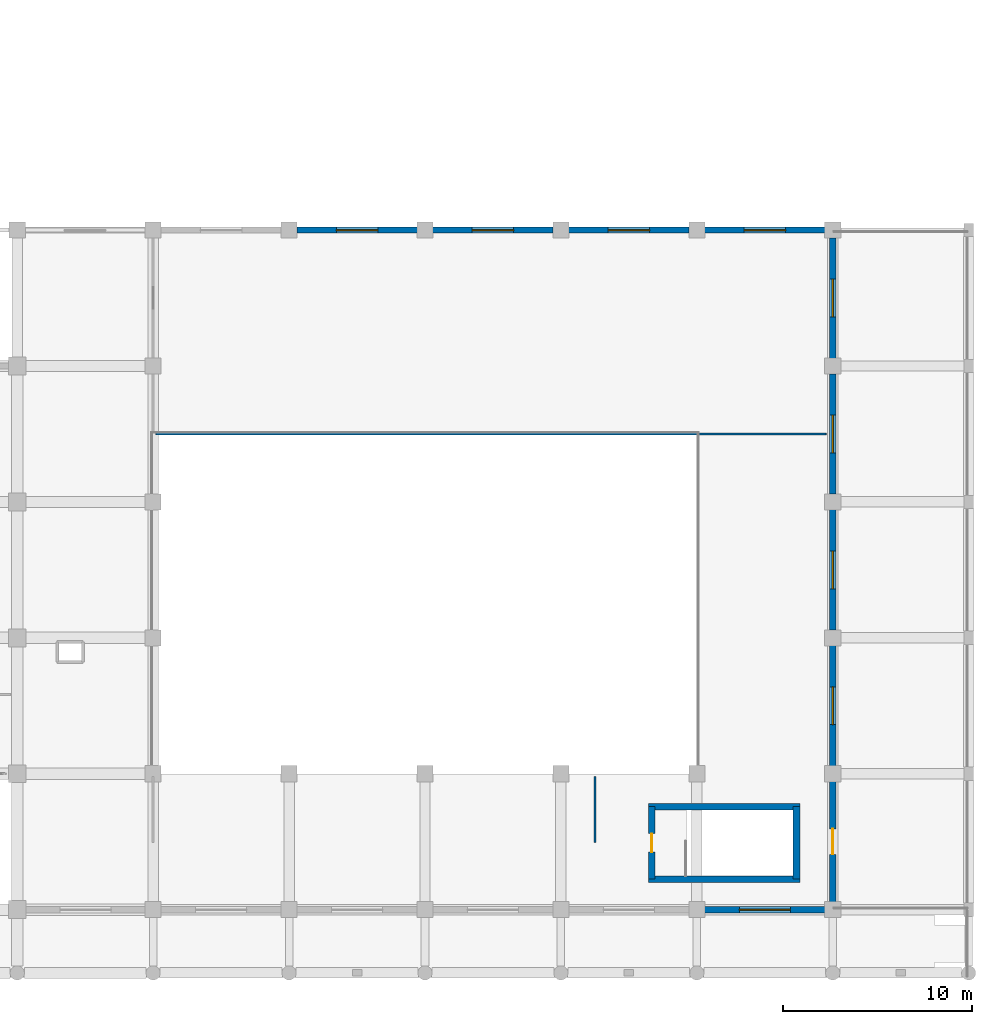
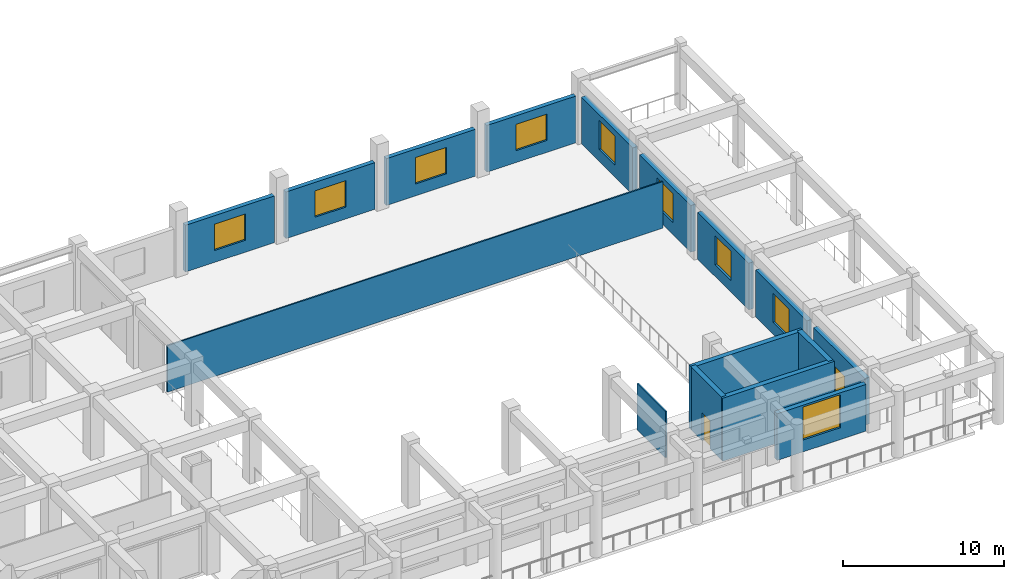
# One storey, part 36 of 54: 16 walls, 9 windows, 2 doors, 11 openings.
"""IFC4 building model written with IfcOpenShell, lengths in metres."""

from ifc_helpers import new_model, si_unit, direction, frame, frame_2d, origin, place, context, subcontext, project, spatial, rectangle, extrude, material, layer, layer_set, type_object, element, fill, save


model = new_model("IFC4")

# Units and contexts
model_context = context("Model", 3, precision=1e-05, world=origin(), true_north=direction((0.0, 1.0)))
body_context = subcontext(model_context, "Body", "Model", "MODEL_VIEW")
ifc_project = project(units=[si_unit("LENGTHUNIT", "METRE"), si_unit("AREAUNIT", "SQUARE_METRE"), si_unit("VOLUMEUNIT", "CUBIC_METRE"), si_unit("PLANEANGLEUNIT", "RADIAN"), si_unit("MASSUNIT", "GRAM", prefix="KILO")], contexts=[model_context])

# Site, building, storey
site_placement = place(None, origin())
site = spatial("IfcSite", under=ifc_project, at=site_placement, CompositionType="ELEMENT")
building_placement = place(site_placement, origin())
building = spatial("IfcBuilding", under=site, at=building_placement, Name="Kazehaya Institute of Natural Sciences", CompositionType="ELEMENT")
storey_placement = place(building_placement, frame((0.0, 0.0, 5.39990234375)))
storey = spatial("IfcBuildingStorey", under=building, at=storey_placement, Name="L01", CompositionType="ELEMENT", Elevation=5.39990234375)

# Walls
ifc_material_1 = material(Name="Concrete Fc42", Category="concrete")
ifc_layer_1 = layer(ifc_material_1, 0.35009765625, Name="Concrete Fc42", Category="concrete")
ifc_layer_set_1 = layer_set([ifc_layer_1], Name="Concrete Fc42")
wall_type_1 = type_object("IfcWallType", Name="WL-CORE-350", PredefinedType="SHEAR", material=ifc_layer_set_1)
for number, where, z_axis, x_axis, name in (
    (1, (160.85498046875, 8.419921875, 0.0), (0.0, 0.0, 1.0), (-1.0, 0.0, 0.0), "L01 ST-5 core wall S"),
    (2, (152.844970703125, 12.260009765625, 0.0), (0.0, 0.0, 1.0), (1.0, 0.0, 0.0), "L01 ST-5 core wall N"),
):
    element("IfcWall", number, at=place(storey_placement, frame(where, z_axis=z_axis, x_axis=x_axis)), inside=storey, type_object=wall_type_1, Name=name, PredefinedType="SHEAR", context=body_context, shape_type="SweptSolid", body=[
        extrude(rectangle(XDim=8.010009765625, YDim=0.35009765625, at=frame_2d((4.0048828125, 0.0))), origin(), (0.0, 0.0, 1.0), 4.77001953125),
    ])

# Wall, opening, door
wall_1_placement = place(storey_placement, frame((153.02001953125, 8.419921875, 0.0), z_axis=(0.0, 0.0, 1.0), x_axis=(0.0, 1.0, 0.0)))
wall_1 = element("IfcWall", 3, at=wall_1_placement, inside=storey, type_object=wall_type_1, Name="L01 ST-5 core wall W", PredefinedType="SHEAR", context=body_context, shape_type="SweptSolid", body=[
    extrude(rectangle(XDim=3.840087890625, YDim=0.35009765625, at=frame_2d((1.919921875, 0.0))), origin(), (0.0, 0.0, 1.0), 4.77001953125),
])
opening_1_placement = place(wall_1_placement, frame((1.429931640625, 0.0, 0.0)))
opening_1 = element("IfcOpeningElement", 4, at=opening_1_placement, cuts=wall_1, Name="Opening D-ST-037", PredefinedType="OPENING", context=body_context, shape_type="SweptSolid", body=[
    extrude(rectangle(XDim=0.97998046875, YDim=2.1201171875, at=frame_2d((0.489990234375, 1.06005859375))), frame((0.0, 0.18505859375, 0.0), z_axis=(0.0, -1.0, 0.0), x_axis=(1.0, 0.0, 0.0)), (0.0, 0.0, 1.0), 0.3701171875),
])
ifc_material_2 = material(Name="Fire-rated steel acoustic door", Category="steel")
door_type_1 = type_object("IfcDoorType", Name="DT-FD-08", OperationType="NOTDEFINED", PredefinedType="DOOR", material=ifc_material_2)
door_1_placement = place(opening_1_placement, origin())
door_1 = element("IfcDoor", 5, at=door_1_placement, inside=storey, type_object=door_type_1, Name="L01 ST-5 stair enclosure door D-ST-037", OperationType="SINGLE_SWING_LEFT", OverallHeight=2.1201171875, OverallWidth=0.97998046875, PredefinedType="DOOR", context=body_context, shape_type="SweptSolid", body=[
    extrude(rectangle(XDim=0.97998046875, YDim=2.1201171875, at=frame_2d((0.489990234375, 1.06005859375))), frame((0.0, 0.02490234375, 0.0), z_axis=(0.0, -1.0, 0.0), x_axis=(1.0, 0.0, 0.0)), (0.0, 0.0, 1.0), 0.050048828125),
])
fill(opening_1, door_1)

# Wall
wall_2_placement = place(storey_placement, frame((160.679931640625, 12.260009765625, 0.0), z_axis=(0.0, 0.0, 1.0), x_axis=(0.0, -1.0, 0.0)))
element("IfcWall", 6, at=wall_2_placement, inside=storey, type_object=wall_type_1, Name="L01 ST-5 core wall E", PredefinedType="SHEAR", context=body_context, shape_type="SweptSolid", body=[
    extrude(rectangle(XDim=3.840087890625, YDim=0.35009765625, at=frame_2d((1.919921875, 0.0))), origin(), (0.0, 0.0, 1.0), 4.77001953125),
])

# Wall, opening, window
ifc_material_3 = material(Name="Precast concrete Fc36", Category="concrete")
ifc_layer_2 = layer(ifc_material_3, 0.31005859375, Name="Precast concrete Fc36", Category="concrete")
ifc_layer_set_2 = layer_set([ifc_layer_2], Name="Precast concrete Fc36")
wall_type_2 = type_object("IfcWallType", Name="WL-EXT-310", PredefinedType="SOLIDWALL", material=ifc_layer_set_2)
wall_3_placement = place(storey_placement, frame((134.2099609375, 42.800048828125, 0.0), z_axis=(0.0, 0.0, 1.0), x_axis=(1.0, 0.0, 0.0)))
wall_3 = element("IfcWall", 7, at=wall_3_placement, inside=storey, type_object=wall_type_2, Name="L01 exterior wall EW-L01-0381", PredefinedType="SOLIDWALL", context=body_context, shape_type="SweptSolid", body=[
    extrude(rectangle(XDim=6.380126953125, YDim=0.31005859375, at=frame_2d((3.18994140625, 0.0))), origin(), (0.0, 0.0, 1.0), 3.5400390625),
])
opening_2_placement = place(wall_3_placement, frame((2.090087890625, 0.0, 0.89990234375)))
opening_2 = element("IfcOpeningElement", 8, at=opening_2_placement, cuts=wall_3, Name="Opening W20", PredefinedType="OPENING", context=body_context, shape_type="SweptSolid", body=[
    extrude(rectangle(XDim=2.199951171875, YDim=2.0, at=frame_2d((1.10009765625, 1.0))), frame((0.0, 0.1650390625, 0.0), z_axis=(0.0, -1.0, 0.0), x_axis=(1.0, 0.0, 0.0)), (0.0, 0.0, 1.0), 0.330078125),
])
ifc_material_4 = material(Name="Low-E double-glazed aluminium window", Category="aluminium")
window_type_1 = type_object("IfcWindowType", Name="WN-20", PartitioningType="DOUBLE_PANEL_VERTICAL", PredefinedType="WINDOW", material=ifc_material_4)
window_1_placement = place(opening_2_placement, origin())
window_1 = element("IfcWindow", 9, at=window_1_placement, inside=storey, type_object=window_type_1, Name="L01 facade window 0240", OverallHeight=2.0, OverallWidth=2.199951171875, PartitioningType="DOUBLE_PANEL_VERTICAL", PredefinedType="WINDOW", context=body_context, shape_type="SweptSolid", body=[
    extrude(rectangle(XDim=2.199951171875, YDim=2.0, at=frame_2d((1.10009765625, 1.0))), frame((0.0, 0.030029296875, 0.0), z_axis=(0.0, -1.0, 0.0), x_axis=(1.0, 0.0, 0.0)), (0.0, 0.0, 1.0), 0.06005859375),
])
fill(opening_2, window_1)

wall_4_placement = place(storey_placement, frame((141.409912109375, 42.800048828125, 0.0), z_axis=(0.0, 0.0, 1.0), x_axis=(1.0, 0.0, 0.0)))
wall_4 = element("IfcWall", 10, at=wall_4_placement, inside=storey, type_object=wall_type_2, Name="L01 exterior wall EW-L01-0382", PredefinedType="SOLIDWALL", context=body_context, shape_type="SweptSolid", body=[
    extrude(rectangle(XDim=6.380126953125, YDim=0.31005859375, at=frame_2d((3.18994140625, 0.0))), origin(), (0.0, 0.0, 1.0), 3.5400390625),
])
opening_3_placement = place(wall_4_placement, frame((2.090087890625, 0.0, 0.89990234375)))
opening_3 = element("IfcOpeningElement", 11, at=opening_3_placement, cuts=wall_4, Name="Opening W20", PredefinedType="OPENING", context=body_context, shape_type="SweptSolid", body=[
    extrude(rectangle(XDim=2.199951171875, YDim=2.0, at=frame_2d((1.10009765625, 1.0))), frame((0.0, 0.1650390625, 0.0), z_axis=(0.0, -1.0, 0.0), x_axis=(1.0, 0.0, 0.0)), (0.0, 0.0, 1.0), 0.330078125),
])
window_2_placement = place(opening_3_placement, origin())
window_2 = element("IfcWindow", 12, at=window_2_placement, inside=storey, type_object=window_type_1, Name="L01 facade window 0241", OverallHeight=2.0, OverallWidth=2.199951171875, PartitioningType="DOUBLE_PANEL_VERTICAL", PredefinedType="WINDOW", context=body_context, shape_type="SweptSolid", body=[
    extrude(rectangle(XDim=2.199951171875, YDim=2.0, at=frame_2d((1.10009765625, 1.0))), frame((0.0, 0.030029296875, 0.0), z_axis=(0.0, -1.0, 0.0), x_axis=(1.0, 0.0, 0.0)), (0.0, 0.0, 1.0), 0.06005859375),
])
fill(opening_3, window_2)

wall_5_placement = place(storey_placement, frame((148.610107421875, 42.800048828125, 0.0), z_axis=(0.0, 0.0, 1.0), x_axis=(1.0, 0.0, 0.0)))
wall_5 = element("IfcWall", 13, at=wall_5_placement, inside=storey, type_object=wall_type_2, Name="L01 exterior wall EW-L01-0383", PredefinedType="SOLIDWALL", context=body_context, shape_type="SweptSolid", body=[
    extrude(rectangle(XDim=6.3798828125, YDim=0.31005859375, at=frame_2d((3.18994140625, 0.0))), origin(), (0.0, 0.0, 1.0), 3.5400390625),
])
opening_4_placement = place(wall_5_placement, frame((2.090087890625, 0.0, 0.89990234375)))
opening_4 = element("IfcOpeningElement", 14, at=opening_4_placement, cuts=wall_5, Name="Opening W20", PredefinedType="OPENING", context=body_context, shape_type="SweptSolid", body=[
    extrude(rectangle(XDim=2.199951171875, YDim=2.0, at=frame_2d((1.10009765625, 1.0))), frame((0.0, 0.1650390625, 0.0), z_axis=(0.0, -1.0, 0.0), x_axis=(1.0, 0.0, 0.0)), (0.0, 0.0, 1.0), 0.330078125),
])
window_3_placement = place(opening_4_placement, origin())
window_3 = element("IfcWindow", 15, at=window_3_placement, inside=storey, type_object=window_type_1, Name="L01 facade window 0242", OverallHeight=2.0, OverallWidth=2.199951171875, PartitioningType="DOUBLE_PANEL_VERTICAL", PredefinedType="WINDOW", context=body_context, shape_type="SweptSolid", body=[
    extrude(rectangle(XDim=2.199951171875, YDim=2.0, at=frame_2d((1.10009765625, 1.0))), frame((0.0, 0.030029296875, 0.0), z_axis=(0.0, -1.0, 0.0), x_axis=(1.0, 0.0, 0.0)), (0.0, 0.0, 1.0), 0.06005859375),
])
fill(opening_4, window_3)

wall_6_placement = place(storey_placement, frame((155.81005859375, 42.800048828125, 0.0), z_axis=(0.0, 0.0, 1.0), x_axis=(1.0, 0.0, 0.0)))
wall_6 = element("IfcWall", 16, at=wall_6_placement, inside=storey, type_object=wall_type_2, Name="L01 exterior wall EW-L01-0384", PredefinedType="SOLIDWALL", context=body_context, shape_type="SweptSolid", body=[
    extrude(rectangle(XDim=6.3798828125, YDim=0.31005859375, at=frame_2d((3.18994140625, 0.0))), origin(), (0.0, 0.0, 1.0), 3.5400390625),
])
opening_5_placement = place(wall_6_placement, frame((2.090087890625, 0.0, 0.89990234375)))
opening_5 = element("IfcOpeningElement", 17, at=opening_5_placement, cuts=wall_6, Name="Opening W20", PredefinedType="OPENING", context=body_context, shape_type="SweptSolid", body=[
    extrude(rectangle(XDim=2.199951171875, YDim=2.0, at=frame_2d((1.10009765625, 1.0))), frame((0.0, 0.1650390625, 0.0), z_axis=(0.0, -1.0, 0.0), x_axis=(1.0, 0.0, 0.0)), (0.0, 0.0, 1.0), 0.330078125),
])
window_4_placement = place(opening_5_placement, origin())
window_4 = element("IfcWindow", 18, at=window_4_placement, inside=storey, type_object=window_type_1, Name="L01 facade window 0243", OverallHeight=2.0, OverallWidth=2.199951171875, PartitioningType="DOUBLE_PANEL_VERTICAL", PredefinedType="WINDOW", context=body_context, shape_type="SweptSolid", body=[
    extrude(rectangle(XDim=2.199951171875, YDim=2.0, at=frame_2d((1.10009765625, 1.0))), frame((0.0, 0.030029296875, 0.0), z_axis=(0.0, -1.0, 0.0), x_axis=(1.0, 0.0, 0.0)), (0.0, 0.0, 1.0), 0.06005859375),
])
fill(opening_5, window_4)

ifc_layer_3 = layer(ifc_material_3, 0.340087890625, Name="Precast concrete Fc36", Category="concrete")
ifc_layer_set_3 = layer_set([ifc_layer_3], Name="Precast concrete Fc36")
wall_type_3 = type_object("IfcWallType", Name="WL-EXT-340", PredefinedType="SOLIDWALL", material=ifc_layer_set_3)
wall_7_placement = place(storey_placement, frame((162.18994140625, 6.800048828125, 0.0), z_axis=(0.0, 0.0, 1.0), x_axis=(-1.0, 0.0, 0.0)))
wall_7 = element("IfcWall", 19, at=wall_7_placement, inside=storey, type_object=wall_type_3, Name="L01 exterior wall EW-L01-0368", PredefinedType="SOLIDWALL", context=body_context, shape_type="SweptSolid", body=[
    extrude(rectangle(XDim=6.3798828125, YDim=0.340087890625, at=frame_2d((3.18994140625, 0.0))), origin(), (0.0, 0.0, 1.0), 3.5400390625),
])
opening_6_placement = place(wall_7_placement, frame((1.840087890625, 0.0, 0.89990234375)))
opening_6 = element("IfcOpeningElement", 20, at=opening_6_placement, cuts=wall_7, Name="Opening W16", PredefinedType="OPENING", context=body_context, shape_type="SweptSolid", body=[
    extrude(rectangle(XDim=2.699951171875, YDim=2.5, at=frame_2d((1.35009765625, 1.25))), frame((0.0, 0.179931640625, 0.0), z_axis=(0.0, -1.0, 0.0), x_axis=(1.0, 0.0, 0.0)), (0.0, 0.0, 1.0), 0.360107421875),
])
window_type_2 = type_object("IfcWindowType", Name="WN-16", PartitioningType="DOUBLE_PANEL_VERTICAL", PredefinedType="WINDOW", material=ifc_material_4)
window_5_placement = place(opening_6_placement, origin())
window_5 = element("IfcWindow", 21, at=window_5_placement, inside=storey, type_object=window_type_2, Name="L01 facade window 0228", OverallHeight=2.5, OverallWidth=2.699951171875, PartitioningType="DOUBLE_PANEL_VERTICAL", PredefinedType="WINDOW", context=body_context, shape_type="SweptSolid", body=[
    extrude(rectangle(XDim=2.699951171875, YDim=2.5, at=frame_2d((1.35009765625, 1.25))), frame((0.0, 0.030029296875, 0.0), z_axis=(0.0, -1.0, 0.0), x_axis=(1.0, 0.0, 0.0)), (0.0, 0.0, 1.0), 0.06005859375),
])
fill(opening_6, window_5)

wall_8_placement = place(storey_placement, frame((162.60009765625, 42.389892578125, 0.0), z_axis=(0.0, 0.0, 1.0), x_axis=(0.0, -1.0, 0.0)))
wall_8 = element("IfcWall", 22, at=wall_8_placement, inside=storey, type_object=wall_type_3, Name="L01 exterior wall EW-L01-0374", PredefinedType="SOLIDWALL", context=body_context, shape_type="SweptSolid", body=[
    extrude(rectangle(XDim=6.3798828125, YDim=0.340087890625, at=frame_2d((3.18994140625, 0.0))), origin(), (0.0, 0.0, 1.0), 3.5400390625),
])
opening_7_placement = place(wall_8_placement, frame((2.18994140625, 0.0, 0.89990234375)))
opening_7 = element("IfcOpeningElement", 23, at=opening_7_placement, cuts=wall_8, Name="Opening W19", PredefinedType="OPENING", context=body_context, shape_type="SweptSolid", body=[
    extrude(rectangle(XDim=2.0, YDim=2.199951171875, at=frame_2d((1.0, 1.10009765625))), frame((0.0, 0.179931640625, 0.0), z_axis=(0.0, -1.0, 0.0), x_axis=(1.0, 0.0, 0.0)), (0.0, 0.0, 1.0), 0.360107421875),
])
window_type_3 = type_object("IfcWindowType", Name="WN-19", PartitioningType="DOUBLE_PANEL_VERTICAL", PredefinedType="WINDOW", material=ifc_material_4)
window_6_placement = place(opening_7_placement, origin())
window_6 = element("IfcWindow", 24, at=window_6_placement, inside=storey, type_object=window_type_3, Name="L01 facade window 0234", OverallHeight=2.199951171875, OverallWidth=2.0, PartitioningType="DOUBLE_PANEL_VERTICAL", PredefinedType="WINDOW", context=body_context, shape_type="SweptSolid", body=[
    extrude(rectangle(XDim=2.0, YDim=2.199951171875, at=frame_2d((1.0, 1.10009765625))), frame((0.0, 0.030029296875, 0.0), z_axis=(0.0, -1.0, 0.0), x_axis=(1.0, 0.0, 0.0)), (0.0, 0.0, 1.0), 0.06005859375),
])
fill(opening_7, window_6)

wall_9_placement = place(storey_placement, frame((162.60009765625, 35.18994140625, 0.0), z_axis=(0.0, 0.0, 1.0), x_axis=(0.0, -1.0, 0.0)))
wall_9 = element("IfcWall", 25, at=wall_9_placement, inside=storey, type_object=wall_type_3, Name="L01 exterior wall EW-L01-0375", PredefinedType="SOLIDWALL", context=body_context, shape_type="SweptSolid", body=[
    extrude(rectangle(XDim=6.3798828125, YDim=0.340087890625, at=frame_2d((3.18994140625, 0.0))), origin(), (0.0, 0.0, 1.0), 3.5400390625),
])
opening_8_placement = place(wall_9_placement, frame((2.18994140625, 0.0, 0.89990234375)))
opening_8 = element("IfcOpeningElement", 26, at=opening_8_placement, cuts=wall_9, Name="Opening W19", PredefinedType="OPENING", context=body_context, shape_type="SweptSolid", body=[
    extrude(rectangle(XDim=2.0, YDim=2.199951171875, at=frame_2d((1.0, 1.10009765625))), frame((0.0, 0.179931640625, 0.0), z_axis=(0.0, -1.0, 0.0), x_axis=(1.0, 0.0, 0.0)), (0.0, 0.0, 1.0), 0.360107421875),
])
window_7_placement = place(opening_8_placement, origin())
window_7 = element("IfcWindow", 27, at=window_7_placement, inside=storey, type_object=window_type_3, Name="L01 facade window 0235", OverallHeight=2.199951171875, OverallWidth=2.0, PartitioningType="DOUBLE_PANEL_VERTICAL", PredefinedType="WINDOW", context=body_context, shape_type="SweptSolid", body=[
    extrude(rectangle(XDim=2.0, YDim=2.199951171875, at=frame_2d((1.0, 1.10009765625))), frame((0.0, 0.030029296875, 0.0), z_axis=(0.0, -1.0, 0.0), x_axis=(1.0, 0.0, 0.0)), (0.0, 0.0, 1.0), 0.06005859375),
])
fill(opening_8, window_7)

wall_10_placement = place(storey_placement, frame((162.60009765625, 27.989990234375, 0.0), z_axis=(0.0, 0.0, 1.0), x_axis=(0.0, -1.0, 0.0)))
wall_10 = element("IfcWall", 28, at=wall_10_placement, inside=storey, type_object=wall_type_3, Name="L01 exterior wall EW-L01-0376", PredefinedType="SOLIDWALL", context=body_context, shape_type="SweptSolid", body=[
    extrude(rectangle(XDim=6.3798828125, YDim=0.340087890625, at=frame_2d((3.18994140625, 0.0))), origin(), (0.0, 0.0, 1.0), 3.5400390625),
])
opening_9_placement = place(wall_10_placement, frame((2.18994140625, 0.0, 0.89990234375)))
opening_9 = element("IfcOpeningElement", 29, at=opening_9_placement, cuts=wall_10, Name="Opening W19", PredefinedType="OPENING", context=body_context, shape_type="SweptSolid", body=[
    extrude(rectangle(XDim=2.0, YDim=2.199951171875, at=frame_2d((1.0, 1.10009765625))), frame((0.0, 0.179931640625, 0.0), z_axis=(0.0, -1.0, 0.0), x_axis=(1.0, 0.0, 0.0)), (0.0, 0.0, 1.0), 0.360107421875),
])
window_8_placement = place(opening_9_placement, origin())
window_8 = element("IfcWindow", 30, at=window_8_placement, inside=storey, type_object=window_type_3, Name="L01 facade window 0236", OverallHeight=2.199951171875, OverallWidth=2.0, PartitioningType="DOUBLE_PANEL_VERTICAL", PredefinedType="WINDOW", context=body_context, shape_type="SweptSolid", body=[
    extrude(rectangle(XDim=2.0, YDim=2.199951171875, at=frame_2d((1.0, 1.10009765625))), frame((0.0, 0.030029296875, 0.0), z_axis=(0.0, -1.0, 0.0), x_axis=(1.0, 0.0, 0.0)), (0.0, 0.0, 1.0), 0.06005859375),
])
fill(opening_9, window_8)

wall_11_placement = place(storey_placement, frame((162.60009765625, 20.7900390625, 0.0), z_axis=(0.0, 0.0, 1.0), x_axis=(0.0, -1.0, 0.0)))
wall_11 = element("IfcWall", 31, at=wall_11_placement, inside=storey, type_object=wall_type_3, Name="L01 exterior wall EW-L01-0377", PredefinedType="SOLIDWALL", context=body_context, shape_type="SweptSolid", body=[
    extrude(rectangle(XDim=6.380126953125, YDim=0.340087890625, at=frame_2d((3.18994140625, 0.0))), origin(), (0.0, 0.0, 1.0), 3.5400390625),
])
opening_10_placement = place(wall_11_placement, frame((2.18994140625, 0.0, 0.89990234375)))
opening_10 = element("IfcOpeningElement", 32, at=opening_10_placement, cuts=wall_11, Name="Opening W19", PredefinedType="OPENING", context=body_context, shape_type="SweptSolid", body=[
    extrude(rectangle(XDim=2.0, YDim=2.199951171875, at=frame_2d((1.0, 1.10009765625))), frame((0.0, 0.179931640625, 0.0), z_axis=(0.0, -1.0, 0.0), x_axis=(1.0, 0.0, 0.0)), (0.0, 0.0, 1.0), 0.360107421875),
])
window_9_placement = place(opening_10_placement, origin())
window_9 = element("IfcWindow", 33, at=window_9_placement, inside=storey, type_object=window_type_3, Name="L01 facade window 0237", OverallHeight=2.199951171875, OverallWidth=2.0, PartitioningType="DOUBLE_PANEL_VERTICAL", PredefinedType="WINDOW", context=body_context, shape_type="SweptSolid", body=[
    extrude(rectangle(XDim=2.0, YDim=2.199951171875, at=frame_2d((1.0, 1.10009765625))), frame((0.0, 0.030029296875, 0.0), z_axis=(0.0, -1.0, 0.0), x_axis=(1.0, 0.0, 0.0)), (0.0, 0.0, 1.0), 0.06005859375),
])
fill(opening_10, window_9)

# Wall, opening, door
wall_12_placement = place(storey_placement, frame((162.60009765625, 13.590087890625, 0.0), z_axis=(0.0, 0.0, 1.0), x_axis=(0.0, -1.0, 0.0)))
wall_12 = element("IfcWall", 34, at=wall_12_placement, inside=storey, type_object=wall_type_3, Name="L01 exterior wall EW-L01-0378", PredefinedType="SOLIDWALL", context=body_context, shape_type="SweptSolid", body=[
    extrude(rectangle(XDim=6.380126953125, YDim=0.340087890625, at=frame_2d((3.18994140625, 0.0))), origin(), (0.0, 0.0, 1.0), 3.5400390625),
])
opening_11_placement = place(wall_12_placement, frame((2.514892578125, 0.0, 0.0)))
opening_11 = element("IfcOpeningElement", 35, at=opening_11_placement, cuts=wall_12, Name="Opening D-TER-L01E", PredefinedType="OPENING", context=body_context, shape_type="SweptSolid", body=[
    extrude(rectangle(XDim=1.35009765625, YDim=2.179931640625, at=frame_2d((0.675048828125, 1.08984375))), frame((0.0, 0.179931640625, 0.0), z_axis=(0.0, -1.0, 0.0), x_axis=(1.0, 0.0, 0.0)), (0.0, 0.0, 1.0), 0.360107421875),
])
ifc_material_5 = material(Name="Insulated bronze-clad steel door", Category="steel")
door_type_2 = type_object("IfcDoorType", Name="DT-TER-1350x2180", OperationType="DOUBLE_DOOR_SINGLE_SWING", PredefinedType="DOOR", material=ifc_material_5)
door_2_placement = place(opening_11_placement, origin())
door_2 = element("IfcDoor", 36, at=door_2_placement, inside=storey, type_object=door_type_2, Name="L01 exterior door D-TER-L01E", OperationType="DOUBLE_DOOR_SINGLE_SWING", OverallHeight=2.179931640625, OverallWidth=1.35009765625, PredefinedType="DOOR", context=body_context, shape_type="SweptSolid", body=[
    extrude(rectangle(XDim=1.35009765625, YDim=2.179931640625, at=frame_2d((0.675048828125, 1.08984375))), frame((0.0, 0.02490234375, 0.0), z_axis=(0.0, -1.0, 0.0), x_axis=(1.0, 0.0, 0.0)), (0.0, 0.0, 1.0), 0.050048828125),
])
fill(opening_11, door_2)

# Walls
ifc_material_6 = material(Name="Lightweight chase partition")
ifc_layer_4 = layer(ifc_material_6, 0.10009765625, Name="Lightweight chase partition")
ifc_layer_set_4 = layer_set([ifc_layer_4], Name="Lightweight chase partition")
wall_type_4 = type_object("IfcWallType", Name="WL-PART-100", PredefinedType="PARTITIONING", material=ifc_layer_set_4)
wall_13_placement = place(storey_placement, frame((162.25, 32.0, 0.0), z_axis=(0.0, 0.0, 1.0), x_axis=(-1.0, 0.0, 0.0)))
element("IfcWall", 37, at=wall_13_placement, inside=storey, type_object=wall_type_4, Name="L01 Acoustic Control and Simultaneous Interpretation Room partition IW-L01-0115", PredefinedType="PARTITIONING", context=body_context, shape_type="SweptSolid", body=[
    extrude(rectangle(XDim=35.5, YDim=0.10009765625, at=frame_2d((17.75, 0.0))), origin(), (0.0, 0.0, 1.0), 3.52001953125),
])
ifc_material_7 = material(Name="Glazed office demountable partition")
ifc_layer_5 = layer(ifc_material_7, 0.110107421875, Name="Glazed office demountable partition")
ifc_layer_set_5 = layer_set([ifc_layer_5], Name="Glazed office demountable partition")
wall_type_5 = type_object("IfcWallType", Name="WL-PART-110", PredefinedType="PARTITIONING", material=ifc_layer_set_5)
wall_14_placement = place(storey_placement, frame((150.0, 13.85009765625, 0.0), z_axis=(0.0, 0.0, 1.0), x_axis=(0.0, -1.0, 0.0)))
element("IfcWall", 38, at=wall_14_placement, inside=storey, type_object=wall_type_5, Name="L01 Upper Lecture Theatre Tier partition IW-L01-0114", PredefinedType="PARTITIONING", context=body_context, shape_type="SweptSolid", body=[
    extrude(rectangle(XDim=3.5, YDim=0.110107421875, at=frame_2d((1.75, 0.0))), origin(), (0.0, 0.0, 1.0), 3.52001953125),
])

save(model, "model.ifc")
